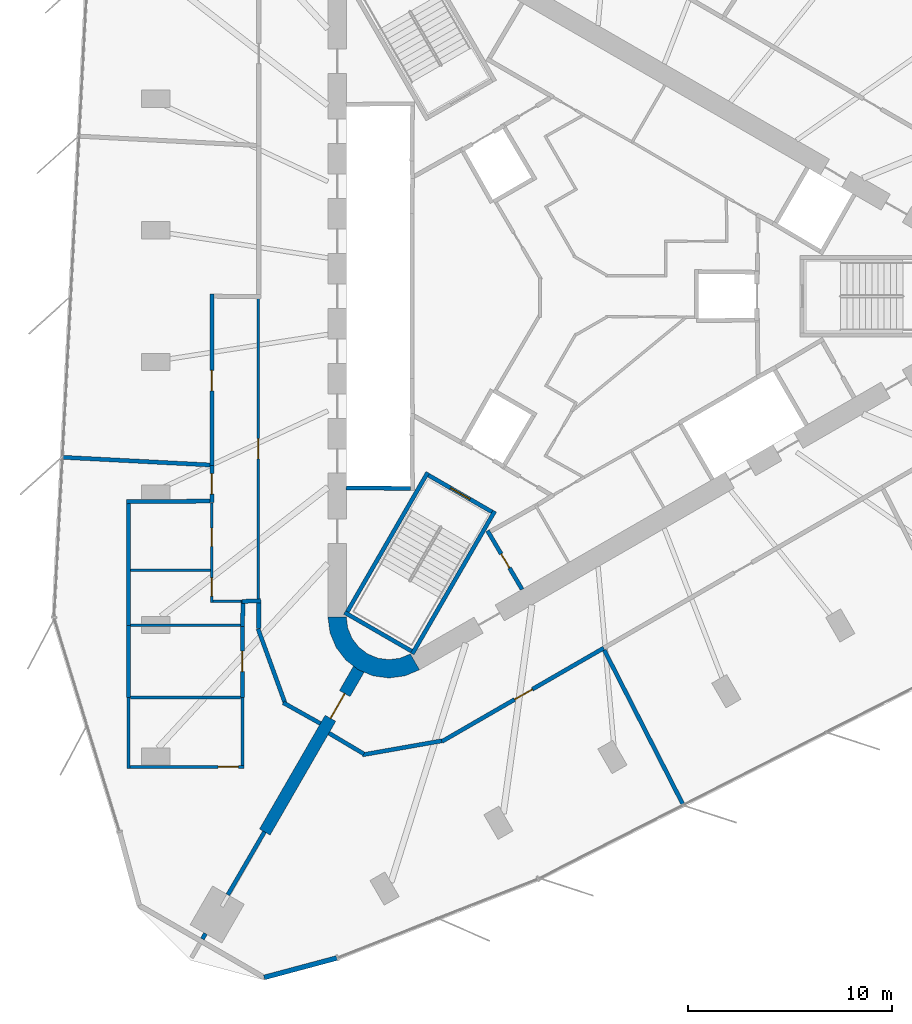
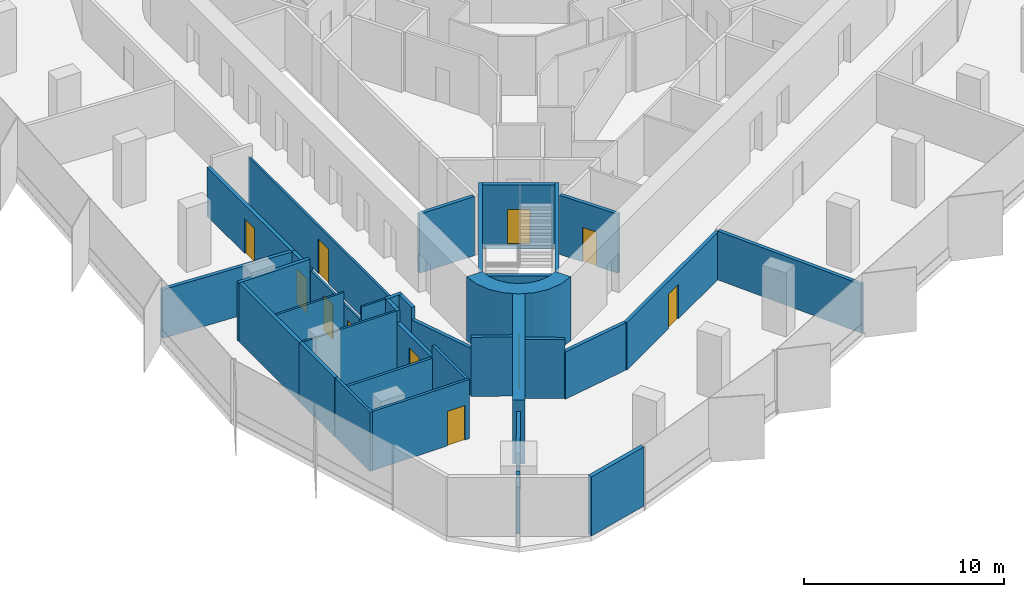
# One storey, part 8 of 13: 36 walls, 11 doors, 11 openings.
"""IFC4 building model written with IfcOpenShell, lengths in metres."""

from ifc_helpers import new_model, si_unit, direction, frame, frame_2d, origin, place, context, subcontext, project, spatial, polyline, rectangle, outline, extrude, material, layer, layer_set, type_object, element, fill, save


model = new_model("IFC4")

# Units and contexts
model_context = context("Model", 3, precision=1e-05, world=origin(), true_north=direction((0.0, 1.0)))
body_context = subcontext(model_context, "Body", "Model", "MODEL_VIEW")
ifc_project = project(units=[si_unit("LENGTHUNIT", "METRE"), si_unit("AREAUNIT", "SQUARE_METRE"), si_unit("VOLUMEUNIT", "CUBIC_METRE"), si_unit("PLANEANGLEUNIT", "RADIAN"), si_unit("MASSUNIT", "GRAM", prefix="KILO")], contexts=[model_context])

# Site, building, storey
site_placement = place(None, origin())
site = spatial("IfcSite", under=ifc_project, at=site_placement, CompositionType="ELEMENT")
building_placement = place(site_placement, origin())
building = spatial("IfcBuilding", under=site, at=building_placement, Name="Tanit Gate Tower", CompositionType="ELEMENT")
storey_placement = place(building_placement, frame((0.0, 0.0, 310.39990234375)))
storey = spatial("IfcBuildingStorey", under=building, at=storey_placement, Name="L69", CompositionType="ELEMENT", Elevation=310.39990234375)

# Wall, opening, door
ifc_material_1 = material(Name="Concrete C40/50", Category="concrete")
ifc_layer_1 = layer(ifc_material_1, 0.60009765625)
ifc_layer_set_1 = layer_set([ifc_layer_1], Name="BUTTRESS FIN 600 C40/50")
wall_type_1 = type_object("IfcWallType", Name="BUTTRESS FIN 600 C40/50", PredefinedType="SHEAR", material=ifc_layer_set_1)
wall_1_placement = place(storey_placement, frame((-10.574951171875, -18.31640625, 0.0), z_axis=(0.0, 0.0, 1.0), x_axis=(-0.500009446655, -0.866019949687, 0.0)))
wall_1 = element("IfcWall", 1, at=wall_1_placement, inside=storey, type_object=wall_type_1, Name="BUTTRESS FIN", PredefinedType="SHEAR", context=body_context, shape_type="SweptSolid", body=[
    extrude(rectangle(XDim=9.253662109375, YDim=0.60009765625, at=frame_2d((4.626953125, 0.0))), origin(), (0.0, 0.0, 1.0), 3.900146484375),
])
opening_1_placement = place(wall_1_placement, frame((1.39990234375, 0.0, 0.0)))
opening_1 = element("IfcOpeningElement", 2, at=opening_1_placement, cuts=wall_1, Name="Opening P14-S19-F-SW-1", PredefinedType="OPENING", context=body_context, shape_type="SweptSolid", body=[
    extrude(rectangle(XDim=1.39990234375, YDim=2.39990234375, at=frame_2d((0.699951171875, 1.199951171875))), frame((0.0, 0.31005859375, 0.0), z_axis=(0.0, -1.0, 0.0), x_axis=(1.0, 0.0, 0.0)), (0.0, 0.0, 1.0), 0.6201171875),
])
ifc_material_2 = material(Name="Timber door leaf", Category="wood")
door_type_1 = type_object("IfcDoorType", Name="INT-DOOR-FIN-PAIR-1400", OperationType="NOTDEFINED", PredefinedType="NOTDEFINED", material=ifc_material_2)
door_1_placement = place(opening_1_placement, origin())
door_1 = element("IfcDoor", 3, at=door_1_placement, inside=storey, type_object=door_type_1, Name="Door P14-S19-F-SW-1", OperationType="DOUBLE_DOOR_SINGLE_SWING", OverallHeight=2.39990234375, OverallWidth=1.39990234375, PredefinedType="NOTDEFINED", context=body_context, shape_type="SweptSolid", body=[
    extrude(rectangle(XDim=1.39990234375, YDim=2.39990234375, at=frame_2d((0.699951171875, 1.199951171875))), frame((0.0, 0.02490234375, 0.0), z_axis=(0.0, -1.0, 0.0), x_axis=(1.0, 0.0, 0.0)), (0.0, 0.0, 1.0), 0.050048828125),
])
fill(opening_1, door_1)

# Walls
ifc_material_3 = material(Name="Concrete C40/50", Category="concrete")
ifc_layer_2 = layer(ifc_material_3, 0.89990234375)
ifc_layer_set_2 = layer_set([ifc_layer_2], Name="CORE WALL 900 C40/50")
wall_type_2 = type_object("IfcWallType", Name="CORE WALL 900 C40/50", PredefinedType="SHEAR", material=ifc_layer_set_2)
wall_2_placement = place(storey_placement, origin())
element("IfcWall", 4, at=wall_2_placement, inside=storey, type_object=wall_type_2, Name="CORE WALL CORNER", PredefinedType="SHEAR", context=body_context, shape_type="SweptSolid", body=[
    extrude(outline(polyline([(-12.10009765625, -15.76171875), (-11.997802734375, -16.5380859375), (-11.697998046875, -17.26171875), (-11.22119140625, -17.883056640625), (-10.60009765625, -18.359619140625), (-9.87646484375, -18.659423828125), (-9.10009765625, -18.76171875), (-8.323486328125, -18.659423828125), (-7.60009765625, -18.359619140625), (-8.050048828125, -17.580322265625), (-8.556396484375, -17.7900390625), (-9.10009765625, -17.86181640625), (-9.6435546875, -17.7900390625), (-10.14990234375, -17.580322265625), (-10.5849609375, -17.24658203125), (-10.918701171875, -16.811767578125), (-11.12841796875, -16.30517578125), (-11.199951171875, -15.76171875), (-12.10009765625, -15.76171875)])), origin(), (0.0, 0.0, 1.0), 3.900146484375),
])
ifc_material_4 = material(Name="Concrete C30/37 with bronze anodised aluminium cladding", Category="concrete")
ifc_layer_3 = layer(ifc_material_4, 0.239990234375)
ifc_layer_set_3 = layer_set([ifc_layer_3], Name="Facade wall bronze clad 240")
wall_type_3 = type_object("IfcWallType", Name="Facade wall bronze clad 240", PredefinedType="SOLIDWALL", material=ifc_layer_set_3)
wall_3_placement = place(storey_placement, frame((-15.2333984375, -33.476806640625, 0.0), z_axis=(0.0, 0.0, 1.0), x_axis=(0.965938323568, 0.258772400119, 0.0)))
element("IfcWall", 5, at=wall_3_placement, inside=storey, type_object=wall_type_3, Name="Bronze-clad facade wall L69 SW.arc3", PredefinedType="SOLIDWALL", context=body_context, shape_type="SweptSolid", body=[
    extrude(rectangle(XDim=3.696533203125, YDim=0.239990234375, at=frame_2d((1.84814453125, 0.0))), origin(), (0.0, 0.0, 1.0), 3.60009765625),
])

# Wall, opening, door
ifc_material_5 = material(Name="Fire-rated gypsum board partition")
ifc_layer_4 = layer(ifc_material_5, 0.199951171875)
ifc_layer_set_4 = layer_set([ifc_layer_4], Name="INT-WALL-COMPARTMENT")
wall_type_4 = type_object("IfcWallType", Name="INT-WALL-COMPARTMENT", PredefinedType="PARTITIONING", material=ifc_layer_set_4)
wall_4_placement = place(storey_placement, frame((-4.259765625, -11.523681640625, 0.0), z_axis=(0.0, 0.0, 1.0), x_axis=(0.507997497166, -0.861358544901, 0.0)))
wall_4 = element("IfcWall", 6, at=wall_4_placement, inside=storey, type_object=wall_type_4, Name="Wall Compartment W053", PredefinedType="PARTITIONING", context=body_context, shape_type="SweptSolid", body=[
    extrude(rectangle(XDim=3.350341796875, YDim=0.199951171875, at=frame_2d((1.67529296875, 0.0))), origin(), (0.0, 0.0, 1.0), 3.60009765625),
])
opening_2_placement = place(wall_4_placement, frame((1.3251953125, 0.0, 0.0)))
opening_2 = element("IfcOpeningElement", 7, at=opening_2_placement, cuts=wall_4, Name="Opening R08-S19-16", PredefinedType="OPENING", context=body_context, shape_type="SweptSolid", body=[
    extrude(rectangle(XDim=0.800048828125, YDim=2.10009765625, at=frame_2d((0.39990234375, 1.050048828125))), frame((0.0, 0.10986328125, 0.0), z_axis=(0.0, -1.0, 0.0), x_axis=(1.0, 0.0, 0.0)), (0.0, 0.0, 1.0), 0.219970703125),
])
ifc_material_6 = material(Name="Timber door leaf", Category="wood")
door_type_2 = type_object("IfcDoorType", Name="INT-DOOR-RISER-800", OperationType="NOTDEFINED", PredefinedType="USERDEFINED", material=ifc_material_6)
door_2_placement = place(opening_2_placement, origin())
door_2 = element("IfcDoor", 8, at=door_2_placement, inside=storey, type_object=door_type_2, Name="Door R08-S19-16", ObjectType="FIRE DOOR", OperationType="SINGLE_SWING_LEFT", OverallHeight=2.10009765625, OverallWidth=0.800048828125, PredefinedType="USERDEFINED", context=body_context, shape_type="SweptSolid", body=[
    extrude(rectangle(XDim=0.800048828125, YDim=2.10009765625, at=frame_2d((0.39990234375, 1.050048828125))), frame((0.0, 0.02490234375, 0.0), z_axis=(0.0, -1.0, 0.0), x_axis=(1.0, 0.0, 0.0)), (0.0, 0.0, 1.0), 0.050048828125),
])
fill(opening_2, door_2)

wall_5_placement = place(storey_placement, frame((-17.800048828125, 0.10009765625, 0.0), z_axis=(0.0, 0.0, 1.0), x_axis=(0.0, -1.0, 0.0)))
wall_5 = element("IfcWall", 9, at=wall_5_placement, inside=storey, type_object=wall_type_4, Name="Wall Compartment W092", PredefinedType="PARTITIONING", context=body_context, shape_type="SweptSolid", body=[
    extrude(rectangle(XDim=8.422607421875, YDim=0.199951171875, at=frame_2d((4.21142578125, 0.0))), origin(), (0.0, 0.0, 1.0), 2.97021484375),
])
opening_3_placement = place(wall_5_placement, frame((3.75, 0.0, 0.0)))
opening_3 = element("IfcOpeningElement", 10, at=opening_3_placement, cuts=wall_5, Name="Opening F10-S19-26", PredefinedType="OPENING", context=body_context, shape_type="SweptSolid", body=[
    extrude(rectangle(XDim=1.0, YDim=2.10009765625, at=frame_2d((0.5, 1.050048828125))), frame((0.0, 0.10986328125, 0.0), z_axis=(0.0, -1.0, 0.0), x_axis=(1.0, 0.0, 0.0)), (0.0, 0.0, 1.0), 0.219970703125),
])
ifc_material_7 = material(Name="Fire-rated steel door leaf", Category="steel")
door_type_3 = type_object("IfcDoorType", Name="INT-DOOR-FIRE-1000", OperationType="NOTDEFINED", PredefinedType="USERDEFINED", material=ifc_material_7)
door_3_placement = place(opening_3_placement, origin())
door_3 = element("IfcDoor", 11, at=door_3_placement, inside=storey, type_object=door_type_3, Name="Door F10-S19-26", ObjectType="FIRE DOOR", OperationType="SINGLE_SWING_RIGHT", OverallHeight=2.10009765625, OverallWidth=1.0, PredefinedType="USERDEFINED", context=body_context, shape_type="SweptSolid", body=[
    extrude(rectangle(XDim=1.0, YDim=2.10009765625, at=frame_2d((0.5, 1.050048828125))), frame((0.0, 0.02490234375, 0.0), z_axis=(0.0, -1.0, 0.0), x_axis=(1.0, 0.0, 0.0)), (0.0, 0.0, 1.0), 0.050048828125),
])
fill(opening_3, door_3)

wall_6_placement = place(storey_placement, frame((-17.800048828125, -8.322509765625, 0.0), z_axis=(0.0, 0.0, 1.0), x_axis=(0.0, -1.0, 0.0)))
wall_6 = element("IfcWall", 12, at=wall_6_placement, inside=storey, type_object=wall_type_4, Name="Wall Compartment W090", PredefinedType="PARTITIONING", context=body_context, shape_type="SweptSolid", body=[
    extrude(rectangle(XDim=1.807373046875, YDim=0.199951171875, at=frame_2d((0.90380859375, 0.0))), origin(), (0.0, 0.0, 1.0), 2.97021484375),
])
opening_4_placement = place(wall_6_placement, frame((0.40380859375, 0.0, 0.0)))
opening_4 = element("IfcOpeningElement", 13, at=opening_4_placement, cuts=wall_6, Name="Opening F10-S19-25", PredefinedType="OPENING", context=body_context, shape_type="SweptSolid", body=[
    extrude(rectangle(XDim=1.0, YDim=2.10009765625, at=frame_2d((0.5, 1.050048828125))), frame((0.0, 0.10986328125, 0.0), z_axis=(0.0, -1.0, 0.0), x_axis=(1.0, 0.0, 0.0)), (0.0, 0.0, 1.0), 0.219970703125),
])
door_4_placement = place(opening_4_placement, origin())
door_4 = element("IfcDoor", 14, at=door_4_placement, inside=storey, type_object=door_type_3, Name="Door F10-S19-25", ObjectType="FIRE DOOR", OperationType="SINGLE_SWING_RIGHT", OverallHeight=2.10009765625, OverallWidth=1.0, PredefinedType="USERDEFINED", context=body_context, shape_type="SweptSolid", body=[
    extrude(rectangle(XDim=1.0, YDim=2.10009765625, at=frame_2d((0.5, 1.050048828125))), frame((0.0, 0.02490234375, 0.0), z_axis=(0.0, -1.0, 0.0), x_axis=(1.0, 0.0, 0.0)), (0.0, 0.0, 1.0), 0.050048828125),
])
fill(opening_4, door_4)

# Walls
wall_7_placement = place(storey_placement, frame((-16.330078125, -15.0, 0.0), z_axis=(0.0, 0.0, 1.0), x_axis=(0.999344339616, 0.036206227059, 0.0)))
element("IfcWall", 15, at=wall_7_placement, inside=storey, type_object=wall_type_4, Name="Wall Compartment W091", PredefinedType="PARTITIONING", context=body_context, shape_type="SweptSolid", body=[
    extrude(rectangle(XDim=0.930419921875, YDim=0.199951171875, at=frame_2d((0.46533203125, 0.0))), origin(), (0.0, 0.0, 1.0), 3.60009765625),
])
wall_8_placement = place(storey_placement, frame((-14.293212890625, -19.9775390625, 0.0), z_axis=(0.0, 0.0, 1.0), x_axis=(0.872510000486, -0.48859625362, 0.0)))
element("IfcWall", 16, at=wall_8_placement, inside=storey, type_object=wall_type_4, Name="Wall Compartment W097", PredefinedType="PARTITIONING", context=body_context, shape_type="SweptSolid", body=[
    extrude(rectangle(XDim=2.089599609375, YDim=0.199951171875, at=frame_2d((1.044921875, 0.0))), origin(), (0.0, 0.0, 1.0), 3.60009765625),
])
wall_9_placement = place(storey_placement, frame((-15.5341796875, -16.346435546875, 0.0), z_axis=(0.0, 0.0, 1.0), x_axis=(0.342001008711, -0.939699584996, 0.0)))
element("IfcWall", 17, at=wall_9_placement, inside=storey, type_object=wall_type_4, Name="Wall Compartment W098", PredefinedType="PARTITIONING", context=body_context, shape_type="SweptSolid", body=[
    extrude(rectangle(XDim=3.87548828125, YDim=0.199951171875, at=frame_2d((1.937744140625, 0.0))), origin(), (0.0, 0.0, 1.0), 2.880126953125),
])
wall_10_placement = place(storey_placement, frame((-15.5, -15.070068359375, 0.0), z_axis=(0.0, 0.0, 1.0), x_axis=(0.0, -1.0, 0.0)))
element("IfcWall", 18, at=wall_10_placement, inside=storey, type_object=wall_type_4, Name="Wall Compartment W099", PredefinedType="PARTITIONING", context=body_context, shape_type="SweptSolid", body=[
    extrude(rectangle(XDim=1.2705078125, YDim=0.199951171875, at=frame_2d((0.63525390625, 0.0))), origin(), (0.0, 0.0, 1.0), 3.60009765625),
])

# Wall, opening, door
wall_11_placement = place(storey_placement, frame((-6.505126953125, -21.884521484375, 0.0), z_axis=(0.0, 0.0, 1.0), x_axis=(0.8660236234, 0.500003083703, 0.0)))
wall_11 = element("IfcWall", 19, at=wall_11_placement, inside=storey, type_object=wall_type_4, Name="Wall Compartment W114", PredefinedType="PARTITIONING", context=body_context, shape_type="SweptSolid", body=[
    extrude(rectangle(XDim=9.1875, YDim=0.199951171875, at=frame_2d((4.59375, 0.0))), origin(), (0.0, 0.0, 1.0), 2.880126953125),
])
opening_5_placement = place(wall_11_placement, frame((4.13232421875, 0.0, 0.0)))
opening_5 = element("IfcOpeningElement", 20, at=opening_5_placement, cuts=wall_11, Name="Opening F10-S19-32", PredefinedType="OPENING", context=body_context, shape_type="SweptSolid", body=[
    extrude(rectangle(XDim=1.0, YDim=2.10009765625, at=frame_2d((0.5, 1.050048828125))), frame((0.0, 0.10986328125, 0.0), z_axis=(0.0, -1.0, 0.0), x_axis=(1.0, 0.0, 0.0)), (0.0, 0.0, 1.0), 0.219970703125),
])
door_5_placement = place(opening_5_placement, origin())
door_5 = element("IfcDoor", 21, at=door_5_placement, inside=storey, type_object=door_type_3, Name="Door F10-S19-32", ObjectType="FIRE DOOR", OperationType="SINGLE_SWING_LEFT", OverallHeight=2.10009765625, OverallWidth=1.0, PredefinedType="USERDEFINED", context=body_context, shape_type="SweptSolid", body=[
    extrude(rectangle(XDim=1.0, YDim=2.10009765625, at=frame_2d((0.5, 1.050048828125))), frame((0.0, 0.02490234375, 0.0), z_axis=(0.0, -1.0, 0.0), x_axis=(1.0, 0.0, 0.0)), (0.0, 0.0, 1.0), 0.050048828125),
])
fill(opening_5, door_5)

# Walls
wall_12_placement = place(storey_placement, frame((-10.405517578125, -22.53759765625, 0.0), z_axis=(0.0, 0.0, 1.0), x_axis=(0.98480284819, 0.173675991999, 0.0)))
element("IfcWall", 22, at=wall_12_placement, inside=storey, type_object=wall_type_4, Name="Wall Compartment W115", PredefinedType="PARTITIONING", context=body_context, shape_type="SweptSolid", body=[
    extrude(rectangle(XDim=3.94873046875, YDim=0.199951171875, at=frame_2d((1.974365234375, 0.0))), origin(), (0.0, 0.0, 1.0), 2.880126953125),
])
wall_13_placement = place(storey_placement, frame((-12.05029296875, -21.4716796875, 0.0), z_axis=(0.0, 0.0, 1.0), x_axis=(0.859577966481, -0.511004617924, 0.0)))
element("IfcWall", 23, at=wall_13_placement, inside=storey, type_object=wall_type_4, Name="Wall Compartment W116", PredefinedType="PARTITIONING", context=body_context, shape_type="SweptSolid", body=[
    extrude(rectangle(XDim=1.99755859375, YDim=0.199951171875, at=frame_2d((0.998779296875, 0.0))), origin(), (0.0, 0.0, 1.0), 3.60009765625),
])
wall_14_placement = place(storey_placement, frame((-25.14794921875, -7.917236328125, 0.0), z_axis=(0.0, 0.0, 1.0), x_axis=(0.998646853221, -0.052004447423, 0.0)))
element("IfcWall", 24, at=wall_14_placement, inside=storey, type_object=wall_type_4, Name="Wall Compartment W117", PredefinedType="PARTITIONING", context=body_context, shape_type="SweptSolid", body=[
    extrude(rectangle(XDim=7.2578125, YDim=0.199951171875, at=frame_2d((3.62890625, 0.0))), origin(), (0.0, 0.0, 1.0), 2.97021484375),
])
wall_15_placement = place(storey_placement, frame((-18.117431640625, -31.3203125, 0.0), z_axis=(0.0, 0.0, 1.0), x_axis=(-0.500091252813, -0.865972712538, 0.0)))
element("IfcWall", 25, at=wall_15_placement, inside=storey, type_object=wall_type_4, Name="Wall Compartment W118", PredefinedType="PARTITIONING", context=body_context, shape_type="SweptSolid", body=[
    extrude(rectangle(XDim=0.3056640625, YDim=0.199951171875, at=frame_2d((0.15283203125, 0.0))), origin(), (0.0, 0.0, 1.0), 3.60009765625),
])
wall_16_placement = place(storey_placement, frame((-15.2177734375, -26.321044921875, 0.0), z_axis=(0.0, 0.0, 1.0), x_axis=(-0.50277219784, -0.864418947663, 0.0)))
element("IfcWall", 26, at=wall_16_placement, inside=storey, type_object=wall_type_4, Name="Wall Compartment W119", PredefinedType="PARTITIONING", context=body_context, shape_type="SweptSolid", body=[
    extrude(rectangle(XDim=3.579345703125, YDim=0.199951171875, at=frame_2d((1.78955078125, 0.0))), origin(), (0.0, 0.0, 1.0), 3.170166015625),
])
wall_17_placement = place(storey_placement, frame((-17.89990234375, -10.07080078125, 0.0), z_axis=(0.0, 0.0, 1.0), x_axis=(-0.999973048838, -0.007341770728, 0.0)))
element("IfcWall", 27, at=wall_17_placement, inside=storey, type_object=wall_type_4, Name="Wall Compartment W120", PredefinedType="PARTITIONING", context=body_context, shape_type="SweptSolid", body=[
    extrude(rectangle(XDim=4.090087890625, YDim=0.199951171875, at=frame_2d((2.044921875, 0.0))), origin(), (0.0, 0.0, 1.0), 3.60009765625),
])
wall_18_placement = place(storey_placement, frame((-21.889892578125, -10.199951171875, 0.0), z_axis=(0.0, 0.0, 1.0), x_axis=(0.0, -1.0, 0.0)))
element("IfcWall", 28, at=wall_18_placement, inside=storey, type_object=wall_type_4, Name="Wall Compartment W121", PredefinedType="PARTITIONING", context=body_context, shape_type="SweptSolid", body=[
    extrude(rectangle(XDim=5.97509765625, YDim=0.199951171875, at=frame_2d((2.987548828125, 0.0))), origin(), (0.0, 0.0, 1.0), 3.60009765625),
])
wall_19_placement = place(storey_placement, frame((-21.889892578125, -16.175048828125, 0.0), z_axis=(0.0, 0.0, 1.0), x_axis=(0.0, -1.0, 0.0)))
element("IfcWall", 29, at=wall_19_placement, inside=storey, type_object=wall_type_4, Name="Wall Compartment W124", PredefinedType="PARTITIONING", context=body_context, shape_type="SweptSolid", body=[
    extrude(rectangle(XDim=3.540283203125, YDim=0.199951171875, at=frame_2d((1.77001953125, 0.0))), origin(), (0.0, 0.0, 1.0), 3.60009765625),
])
wall_20_placement = place(storey_placement, frame((-16.2685546875, -14.93994140625, 0.0), z_axis=(0.0, 0.0, 1.0), x_axis=(-0.024314076851, -0.999704369135, 0.0)))
element("IfcWall", 30, at=wall_20_placement, inside=storey, type_object=wall_type_4, Name="Wall Compartment W123", PredefinedType="PARTITIONING", context=body_context, shape_type="SweptSolid", body=[
    extrude(rectangle(XDim=1.29541015625, YDim=0.199951171875, at=frame_2d((0.647705078125, 0.0))), origin(), (0.0, 0.0, 1.0), 3.60009765625),
])

# Wall, opening, door
wall_21_placement = place(storey_placement, frame((-16.300048828125, -16.114990234375, 0.0), z_axis=(0.0, 0.0, 1.0), x_axis=(0.0, -1.0, 0.0)))
wall_21 = element("IfcWall", 31, at=wall_21_placement, inside=storey, type_object=wall_type_4, Name="Wall Compartment W125", PredefinedType="PARTITIONING", context=body_context, shape_type="SweptSolid", body=[
    extrude(rectangle(XDim=3.600341796875, YDim=0.199951171875, at=frame_2d((1.80029296875, 0.0))), origin(), (0.0, 0.0, 1.0), 2.880126953125),
])
opening_6_placement = place(wall_21_placement, frame((1.330078125, 0.0, 0.0)))
opening_6 = element("IfcOpeningElement", 32, at=opening_6_placement, cuts=wall_21, Name="Opening F10-S19-23", PredefinedType="OPENING", context=body_context, shape_type="SweptSolid", body=[
    extrude(rectangle(XDim=1.0, YDim=2.10009765625, at=frame_2d((0.5, 1.050048828125))), frame((0.0, 0.10986328125, 0.0), z_axis=(0.0, -1.0, 0.0), x_axis=(1.0, 0.0, 0.0)), (0.0, 0.0, 1.0), 0.219970703125),
])
door_6_placement = place(opening_6_placement, origin())
door_6 = element("IfcDoor", 33, at=door_6_placement, inside=storey, type_object=door_type_3, Name="Door F10-S19-23", ObjectType="FIRE DOOR", OperationType="SINGLE_SWING_LEFT", OverallHeight=2.10009765625, OverallWidth=1.0, PredefinedType="USERDEFINED", context=body_context, shape_type="SweptSolid", body=[
    extrude(rectangle(XDim=1.0, YDim=2.10009765625, at=frame_2d((0.5, 1.050048828125))), frame((0.0, 0.02490234375, 0.0), z_axis=(0.0, -1.0, 0.0), x_axis=(1.0, 0.0, 0.0)), (0.0, 0.0, 1.0), 0.050048828125),
])
fill(opening_6, door_6)

# Wall
wall_22_placement = place(storey_placement, frame((5.35595703125, -24.997314453125, 0.0), z_axis=(0.0, 0.0, 1.0), x_axis=(-0.454291135593, 0.890853278672, 0.0)))
element("IfcWall", 34, at=wall_22_placement, inside=storey, type_object=wall_type_4, Name="Wall Compartment W136", PredefinedType="PARTITIONING", context=body_context, shape_type="SweptSolid", body=[
    extrude(rectangle(XDim=8.537841796875, YDim=0.199951171875, at=frame_2d((4.26904296875, 0.0))), origin(), (0.0, 0.0, 1.0), 2.97021484375),
])

# Wall, opening, door
ifc_material_8 = material(Name="Gypsum board partition")
ifc_layer_5 = layer(ifc_material_8, 0.1201171875)
ifc_layer_set_5 = layer_set([ifc_layer_5], Name="INT-WALL-PARTITION")
wall_type_5 = type_object("IfcWallType", Name="INT-WALL-PARTITION", PredefinedType="PARTITIONING", material=ifc_layer_set_5)
wall_23_placement = place(storey_placement, frame((-15.530029296875, 0.0, 0.0), z_axis=(0.0, 0.0, 1.0), x_axis=(0.0, -1.0, 0.0)))
wall_23 = element("IfcWall", 35, at=wall_23_placement, inside=storey, type_object=wall_type_5, Name="Wall Partition W089", PredefinedType="PARTITIONING", context=body_context, shape_type="SweptSolid", body=[
    extrude(rectangle(XDim=15.0, YDim=0.1201171875, at=frame_2d((7.5, 0.0))), origin(), (0.0, 0.0, 1.0), 2.880126953125),
])
opening_7_placement = place(wall_23_placement, frame((7.0, 0.0, 0.0)))
opening_7 = element("IfcOpeningElement", 36, at=opening_7_placement, cuts=wall_23, Name="Opening D10-S19-20", PredefinedType="OPENING", context=body_context, shape_type="SweptSolid", body=[
    extrude(rectangle(XDim=1.0, YDim=2.10009765625, at=frame_2d((0.5, 1.050048828125))), frame((0.0, 0.070068359375, 0.0), z_axis=(0.0, -1.0, 0.0), x_axis=(1.0, 0.0, 0.0)), (0.0, 0.0, 1.0), 0.14013671875),
])
ifc_material_9 = material(Name="Timber door leaf", Category="wood")
door_type_4 = type_object("IfcDoorType", Name="INT-DOOR-SINGLE-1000", OperationType="NOTDEFINED", PredefinedType="NOTDEFINED", material=ifc_material_9)
door_7_placement = place(opening_7_placement, origin())
door_7 = element("IfcDoor", 37, at=door_7_placement, inside=storey, type_object=door_type_4, Name="Door D10-S19-20", OperationType="SINGLE_SWING_LEFT", OverallHeight=2.10009765625, OverallWidth=1.0, PredefinedType="NOTDEFINED", context=body_context, shape_type="SweptSolid", body=[
    extrude(rectangle(XDim=1.0, YDim=2.10009765625, at=frame_2d((0.5, 1.050048828125))), frame((0.0, 0.02490234375, 0.0), z_axis=(0.0, -1.0, 0.0), x_axis=(1.0, 0.0, 0.0)), (0.0, 0.0, 1.0), 0.050048828125),
])
fill(opening_7, door_7)

# Wall, openings, doors
wall_24_placement = place(storey_placement, frame((-17.800048828125, -10.169921875, 0.0), z_axis=(0.0, 0.0, 1.0), x_axis=(0.0, -1.0, 0.0)))
wall_24 = element("IfcWall", 38, at=wall_24_placement, inside=storey, type_object=wall_type_5, Name="Wall Partition W094", PredefinedType="PARTITIONING", context=body_context, shape_type="SweptSolid", body=[
    extrude(rectangle(XDim=4.89013671875, YDim=0.1201171875, at=frame_2d((2.445068359375, 0.0))), origin(), (0.0, 0.0, 1.0), 2.880126953125),
])
opening_8_placement = place(wall_24_placement, frame((1.226318359375, 0.0, 0.0)))
opening_8 = element("IfcOpeningElement", 39, at=opening_8_placement, cuts=wall_24, Name="Opening D09-S19-21", PredefinedType="OPENING", context=body_context, shape_type="SweptSolid", body=[
    extrude(rectangle(XDim=0.89990234375, YDim=2.10009765625, at=frame_2d((0.449951171875, 1.050048828125))), frame((0.0, 0.070068359375, 0.0), z_axis=(0.0, -1.0, 0.0), x_axis=(1.0, 0.0, 0.0)), (0.0, 0.0, 1.0), 0.14013671875),
])
opening_9_placement = place(wall_24_placement, frame((3.67138671875, 0.0, 0.0)))
opening_9 = element("IfcOpeningElement", 40, at=opening_9_placement, cuts=wall_24, Name="Opening D09-S19-22", PredefinedType="OPENING", context=body_context, shape_type="SweptSolid", body=[
    extrude(rectangle(XDim=0.89990234375, YDim=2.10009765625, at=frame_2d((0.449951171875, 1.050048828125))), frame((0.0, 0.070068359375, 0.0), z_axis=(0.0, -1.0, 0.0), x_axis=(1.0, 0.0, 0.0)), (0.0, 0.0, 1.0), 0.14013671875),
])
ifc_material_10 = material(Name="Timber door leaf", Category="wood")
door_type_5 = type_object("IfcDoorType", Name="INT-DOOR-SINGLE-900", OperationType="NOTDEFINED", PredefinedType="NOTDEFINED", material=ifc_material_10)
door_8_placement = place(opening_8_placement, origin())
door_8 = element("IfcDoor", 41, at=door_8_placement, inside=storey, type_object=door_type_5, Name="Door D09-S19-21", OperationType="SINGLE_SWING_RIGHT", OverallHeight=2.10009765625, OverallWidth=0.89990234375, PredefinedType="NOTDEFINED", context=body_context, shape_type="SweptSolid", body=[
    extrude(rectangle(XDim=0.89990234375, YDim=2.10009765625, at=frame_2d((0.449951171875, 1.050048828125))), frame((0.0, 0.02490234375, 0.0), z_axis=(0.0, -1.0, 0.0), x_axis=(1.0, 0.0, 0.0)), (0.0, 0.0, 1.0), 0.050048828125),
])
fill(opening_8, door_8)
door_9_placement = place(opening_9_placement, origin())
door_9 = element("IfcDoor", 42, at=door_9_placement, inside=storey, type_object=door_type_5, Name="Door D09-S19-22", OperationType="SINGLE_SWING_RIGHT", OverallHeight=2.10009765625, OverallWidth=0.89990234375, PredefinedType="NOTDEFINED", context=body_context, shape_type="SweptSolid", body=[
    extrude(rectangle(XDim=0.89990234375, YDim=2.10009765625, at=frame_2d((0.449951171875, 1.050048828125))), frame((0.0, 0.02490234375, 0.0), z_axis=(0.0, -1.0, 0.0), x_axis=(1.0, 0.0, 0.0)), (0.0, 0.0, 1.0), 0.050048828125),
])
fill(opening_9, door_9)

# Walls
wall_25_placement = place(storey_placement, frame((-17.739990234375, -15.0, 0.0), z_axis=(0.0, 0.0, 1.0), x_axis=(1.0, 0.0, 0.0)))
element("IfcWall", 43, at=wall_25_placement, inside=storey, type_object=wall_type_5, Name="Wall Partition W095", PredefinedType="PARTITIONING", context=body_context, shape_type="SweptSolid", body=[
    extrude(rectangle(XDim=1.369873046875, YDim=0.1201171875, at=frame_2d((0.68505859375, 0.0))), origin(), (0.0, 0.0, 1.0), 3.60009765625),
])
wall_26_placement = place(storey_placement, frame((-21.7900390625, -13.462890625, 0.0), z_axis=(0.0, 0.0, 1.0), x_axis=(1.0, 0.0, 0.0)))
element("IfcWall", 44, at=wall_26_placement, inside=storey, type_object=wall_type_5, Name="Wall Partition W137", PredefinedType="PARTITIONING", context=body_context, shape_type="SweptSolid", body=[
    extrude(rectangle(XDim=3.929931640625, YDim=0.1201171875, at=frame_2d((1.96484375, 0.0))), origin(), (0.0, 0.0, 1.0), 3.60009765625),
])
wall_27_placement = place(storey_placement, frame((-16.39990234375, -16.175048828125, 0.0), z_axis=(0.0, 0.0, 1.0), x_axis=(-1.0, 0.0, 0.0)))
element("IfcWall", 45, at=wall_27_placement, inside=storey, type_object=wall_type_5, Name="Wall Partition W138", PredefinedType="PARTITIONING", context=body_context, shape_type="SweptSolid", body=[
    extrude(rectangle(XDim=5.39013671875, YDim=0.1201171875, at=frame_2d((2.695068359375, 0.0))), origin(), (0.0, 0.0, 1.0), 3.60009765625),
])
ifc_material_11 = material(Name="Fire-rated gypsum board partition")
ifc_layer_6 = layer(ifc_material_11, 0.14990234375)
ifc_layer_set_6 = layer_set([ifc_layer_6], Name="INT-WALL-RISER")
wall_type_6 = type_object("IfcWallType", Name="INT-WALL-RISER", PredefinedType="PLUMBINGWALL", material=ifc_layer_set_6)
wall_28_placement = place(storey_placement, frame((-21.889892578125, -19.71533203125, 0.0), z_axis=(0.0, 0.0, 1.0), x_axis=(0.0, -1.0, 0.0)))
element("IfcWall", 46, at=wall_28_placement, inside=storey, type_object=wall_type_6, Name="Wall Riser W126", PredefinedType="PLUMBINGWALL", context=body_context, shape_type="SweptSolid", body=[
    extrude(rectangle(XDim=3.48974609375, YDim=0.14990234375, at=frame_2d((1.744873046875, 0.0))), origin(), (0.0, 0.0, 1.0), 3.60009765625),
])

# Wall, opening, door
wall_29_placement = place(storey_placement, frame((-21.81494140625, -23.1298828125, 0.0), z_axis=(0.0, 0.0, 1.0), x_axis=(1.0, 0.0, 0.0)))
wall_29 = element("IfcWall", 47, at=wall_29_placement, inside=storey, type_object=wall_type_6, Name="Wall Riser W127", PredefinedType="PLUMBINGWALL", context=body_context, shape_type="SweptSolid", body=[
    extrude(rectangle(XDim=5.58984375, YDim=0.14990234375, at=frame_2d((2.794921875, 0.0))), origin(), (0.0, 0.0, 1.0), 3.60009765625),
])
opening_10_placement = place(wall_29_placement, frame((4.31494140625, 0.0, 0.0)))
opening_10 = element("IfcOpeningElement", 48, at=opening_10_placement, cuts=wall_29, Name="Opening F10-S19-24", PredefinedType="OPENING", context=body_context, shape_type="SweptSolid", body=[
    extrude(rectangle(XDim=1.0, YDim=2.10009765625, at=frame_2d((0.5, 1.050048828125))), frame((0.0, 0.0849609375, 0.0), z_axis=(0.0, -1.0, 0.0), x_axis=(1.0, 0.0, 0.0)), (0.0, 0.0, 1.0), 0.169921875),
])
door_10_placement = place(opening_10_placement, origin())
door_10 = element("IfcDoor", 49, at=door_10_placement, inside=storey, type_object=door_type_3, Name="Door F10-S19-24", ObjectType="FIRE DOOR", OperationType="SINGLE_SWING_LEFT", OverallHeight=2.10009765625, OverallWidth=1.0, PredefinedType="USERDEFINED", context=body_context, shape_type="SweptSolid", body=[
    extrude(rectangle(XDim=1.0, YDim=2.10009765625, at=frame_2d((0.5, 1.050048828125))), frame((0.0, 0.02490234375, 0.0), z_axis=(0.0, -1.0, 0.0), x_axis=(1.0, 0.0, 0.0)), (0.0, 0.0, 1.0), 0.050048828125),
])
fill(opening_10, door_10)

# Walls
wall_30_placement = place(storey_placement, frame((-16.300048828125, -19.71533203125, 0.0), z_axis=(0.0, 0.0, 1.0), x_axis=(0.0, -1.0, 0.0)))
element("IfcWall", 50, at=wall_30_placement, inside=storey, type_object=wall_type_6, Name="Wall Riser W128", PredefinedType="PLUMBINGWALL", context=body_context, shape_type="SweptSolid", body=[
    extrude(rectangle(XDim=3.339599609375, YDim=0.14990234375, at=frame_2d((1.669921875, 0.0))), origin(), (0.0, 0.0, 1.0), 3.60009765625),
])
wall_31_placement = place(storey_placement, frame((-21.7900390625, -19.722900390625, 0.0), z_axis=(0.0, 0.0, 1.0), x_axis=(1.0, 0.0, 0.0)))
element("IfcWall", 51, at=wall_31_placement, inside=storey, type_object=wall_type_6, Name="Wall Riser W139", PredefinedType="PLUMBINGWALL", context=body_context, shape_type="SweptSolid", body=[
    extrude(rectangle(XDim=5.39013671875, YDim=0.14990234375, at=frame_2d((2.695068359375, 0.0))), origin(), (0.0, 0.0, 1.0), 2.880126953125),
])
ifc_material_12 = material(Name="Gypsum shaft wall system")
ifc_layer_7 = layer(ifc_material_12, 0.199951171875)
ifc_layer_set_7 = layer_set([ifc_layer_7], Name="INT-WALL-SHAFT")
wall_type_7 = type_object("IfcWallType", Name="INT-WALL-SHAFT", PredefinedType="PLUMBINGWALL", material=ifc_layer_set_7)
wall_32_placement = place(storey_placement, frame((-8.050048828125, -9.448974609375, 0.0), z_axis=(0.0, 0.0, 1.0), x_axis=(-0.999957467379, 0.009222983926, 0.0)))
element("IfcWall", 52, at=wall_32_placement, inside=storey, type_object=wall_type_7, Name="Wall Shaft W011", PredefinedType="PLUMBINGWALL", context=body_context, shape_type="SweptSolid", body=[
    extrude(rectangle(XDim=3.150146484375, YDim=0.199951171875, at=frame_2d((1.5751953125, 0.0))), origin(), (0.0, 0.0, 1.0), 3.60009765625),
])
ifc_material_13 = material(Name="Concrete C40/50", Category="concrete")
ifc_layer_8 = layer(ifc_material_13, 0.199951171875)
ifc_layer_set_8 = layer_set([ifc_layer_8], Name="INT-WALL-STAIR")
wall_type_8 = type_object("IfcWallType", Name="INT-WALL-STAIR", PredefinedType="SHEAR", material=ifc_layer_set_8)
wall_33_placement = place(storey_placement, frame((-3.904541015625, -10.56298828125, -0.2998046875), z_axis=(0.0, 0.0, 1.0), x_axis=(-0.500012932018, -0.866017937352, 0.0)))
element("IfcWall", 53, at=wall_33_placement, inside=storey, type_object=wall_type_8, Name="Wall Stair W036", PredefinedType="SHEAR", context=body_context, shape_type="SweptSolid", body=[
    extrude(rectangle(XDim=8.099853515625, YDim=0.199951171875, at=frame_2d((4.0498046875, 0.0))), origin(), (0.0, 0.0, 1.0), 3.89990234375),
])
wall_34_placement = place(storey_placement, frame((-11.281982421875, -15.541015625, -0.2998046875), z_axis=(0.0, 0.0, 1.0), x_axis=(0.866000483506, -0.500043160704, 0.0)))
element("IfcWall", 54, at=wall_34_placement, inside=storey, type_object=wall_type_8, Name="Wall Stair W037", PredefinedType="SHEAR", context=body_context, shape_type="SweptSolid", body=[
    extrude(rectangle(XDim=3.800048828125, YDim=0.199951171875, at=frame_2d((1.89990234375, 0.0))), origin(), (0.0, 0.0, 1.0), 3.89990234375),
])
wall_35_placement = place(storey_placement, frame((-7.195556640625, -8.662841796875, -0.2998046875), z_axis=(0.0, 0.0, 1.0), x_axis=(-0.499997992926, -0.866026562566, 0.0)))
element("IfcWall", 55, at=wall_35_placement, inside=storey, type_object=wall_type_8, Name="Wall Stair W038", PredefinedType="SHEAR", context=body_context, shape_type="SweptSolid", body=[
    extrude(rectangle(XDim=7.89990234375, YDim=0.199951171875, at=frame_2d((3.949951171875, 0.0))), origin(), (0.0, 0.0, 1.0), 3.89990234375),
])

# Wall, opening, door
wall_36_placement = place(storey_placement, frame((-4.041259765625, -10.599365234375, -0.2998046875), z_axis=(0.0, 0.0, 1.0), x_axis=(-0.866047807691, 0.499961193289, 0.0)))
wall_36 = element("IfcWall", 56, at=wall_36_placement, inside=storey, type_object=wall_type_8, Name="Wall Stair W039", PredefinedType="SHEAR", context=body_context, shape_type="SweptSolid", body=[
    extrude(rectangle(XDim=3.599853515625, YDim=0.199951171875, at=frame_2d((1.7998046875, 0.0))), origin(), (0.0, 0.0, 1.0), 3.89990234375),
])
opening_11_placement = place(wall_36_placement, frame((1.25, 0.0, 0.300048828125)))
opening_11 = element("IfcOpeningElement", 57, at=opening_11_placement, cuts=wall_36, Name="Opening S11-S19-07", PredefinedType="OPENING", context=body_context, shape_type="SweptSolid", body=[
    extrude(rectangle(XDim=1.10009765625, YDim=2.10009765625, at=frame_2d((0.550048828125, 1.050048828125))), frame((0.0, 0.10986328125, 0.0), z_axis=(0.0, -1.0, 0.0), x_axis=(1.0, 0.0, 0.0)), (0.0, 0.0, 1.0), 0.219970703125),
])
ifc_material_14 = material(Name="Timber door leaf", Category="wood")
door_type_6 = type_object("IfcDoorType", Name="INT-DOOR-STAIR-1100", OperationType="NOTDEFINED", PredefinedType="USERDEFINED", material=ifc_material_14)
door_11_placement = place(opening_11_placement, origin())
door_11 = element("IfcDoor", 58, at=door_11_placement, inside=storey, type_object=door_type_6, Name="Door S11-S19-07", ObjectType="FIRE DOOR", OperationType="SINGLE_SWING_LEFT", OverallHeight=2.10009765625, OverallWidth=1.10009765625, PredefinedType="USERDEFINED", context=body_context, shape_type="SweptSolid", body=[
    extrude(rectangle(XDim=1.10009765625, YDim=2.10009765625, at=frame_2d((0.550048828125, 1.050048828125))), frame((0.0, 0.02490234375, 0.0), z_axis=(0.0, -1.0, 0.0), x_axis=(1.0, 0.0, 0.0)), (0.0, 0.0, 1.0), 0.050048828125),
])
fill(opening_11, door_11)

save(model, "model.ifc")
